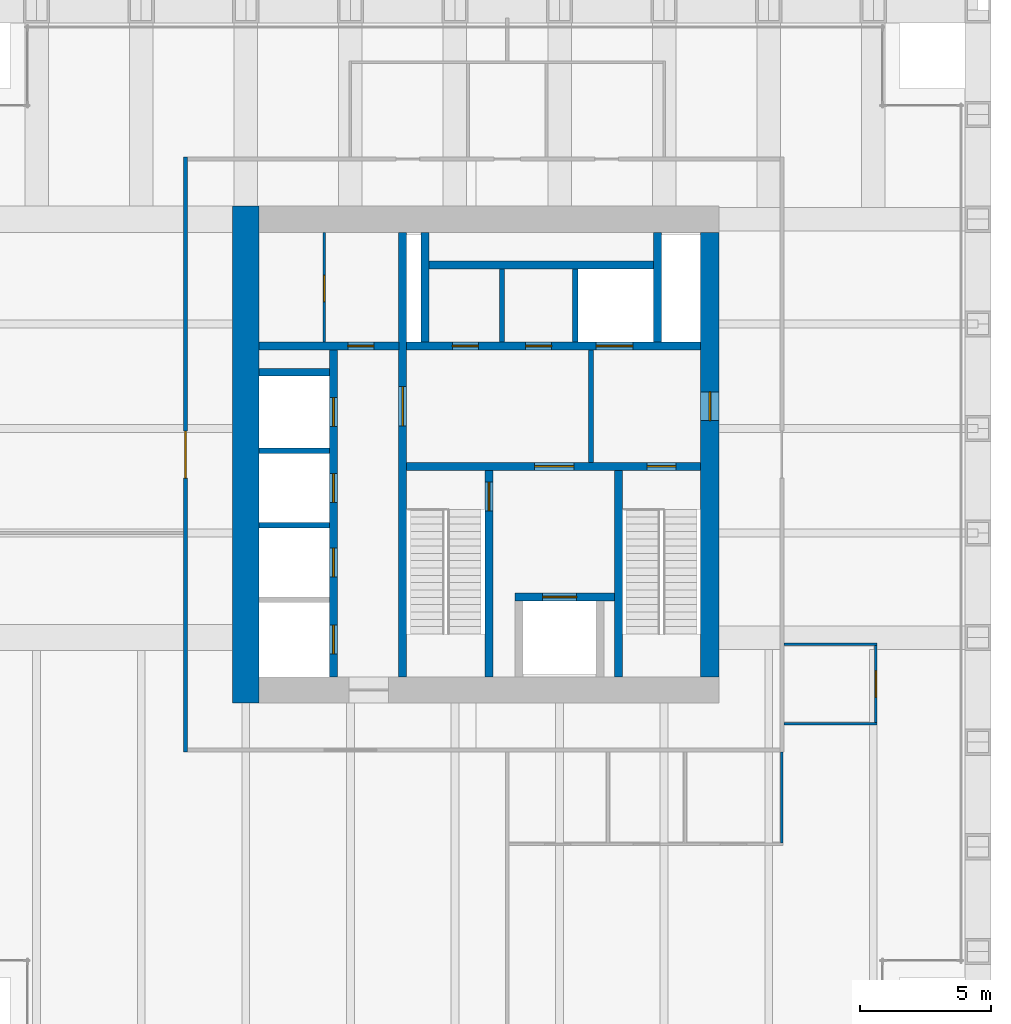
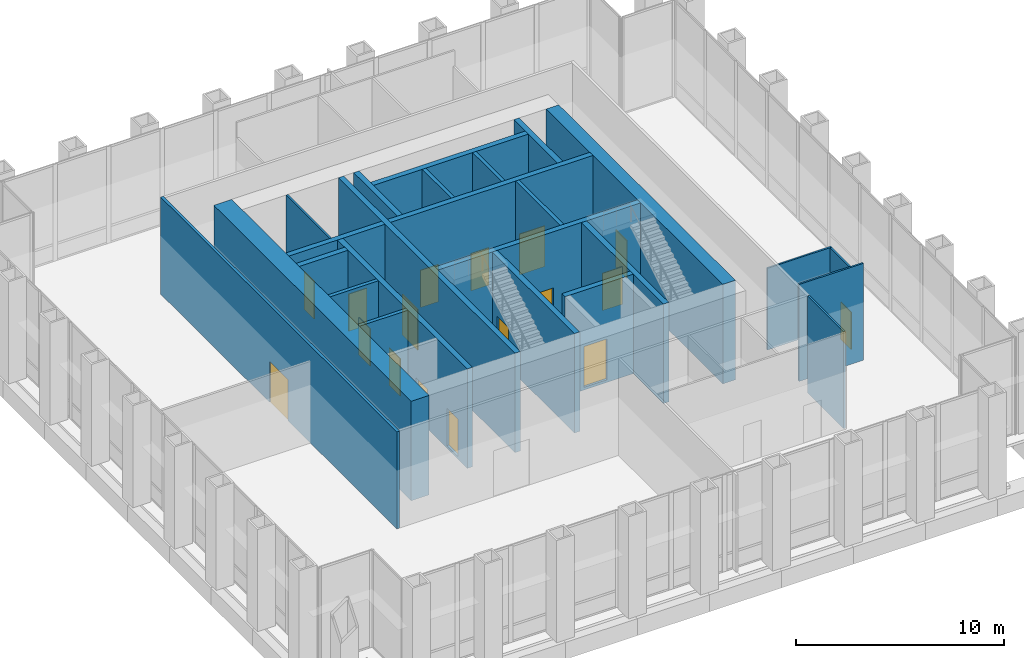
# One storey, part 10 of 12: 25 walls, 17 doors, 17 openings.
"""IFC4 building model written with IfcOpenShell, lengths in metres."""

from ifc_helpers import new_model, si_unit, direction, frame, frame_2d, origin, place, context, subcontext, project, spatial, rectangle, extrude, material, layer, layer_set, type_object, element, fill, save


model = new_model("IFC4")

# Units and contexts
model_context = context("Model", 3, precision=1e-05, world=origin(), true_north=direction((0.0, 1.0)))
body_context = subcontext(model_context, "Body", "Model", "MODEL_VIEW")
ifc_project = project(units=[si_unit("LENGTHUNIT", "METRE"), si_unit("AREAUNIT", "SQUARE_METRE"), si_unit("VOLUMEUNIT", "CUBIC_METRE"), si_unit("PLANEANGLEUNIT", "RADIAN"), si_unit("MASSUNIT", "GRAM", prefix="KILO")], contexts=[model_context])

# Site, building, storey
site_placement = place(None, origin())
site = spatial("IfcSite", under=ifc_project, at=site_placement, CompositionType="ELEMENT")
building_placement = place(site_placement, origin())
building = spatial("IfcBuilding", under=site, at=building_placement, Name="Rimbunsela Tower", CompositionType="ELEMENT")
storey_placement = place(building_placement, frame((0.0, 0.0, 298.199951171875)))
storey = spatial("IfcBuildingStorey", under=building, at=storey_placement, Name="L72", CompositionType="ELEMENT", Elevation=298.199951171875)

# Wall, opening, door
ifc_material_1 = material(Name="Concrete fc' 80 MPa", Category="concrete")
ifc_layer_1 = layer(ifc_material_1, 0.300048828125)
ifc_layer_set_1 = layer_set([ifc_layer_1], Name="Core internal wall 300")
wall_type_1 = type_object("IfcWallType", Name="Core internal wall 300", PredefinedType="SHEAR", material=ifc_layer_set_1)
wall_1_placement = place(storey_placement, frame((24.0, 18.5, -0.14990234375), z_axis=(0.0, 0.0, 1.0), x_axis=(0.0, 1.0, 0.0)))
wall_1 = element("IfcWall", 1, at=wall_1_placement, inside=storey, type_object=wall_type_1, Name="Core wall at stair A", PredefinedType="SHEAR", context=body_context, shape_type="SweptSolid", body=[
    extrude(rectangle(XDim=17.0, YDim=0.300048828125, at=frame_2d((8.5, 0.0))), origin(), (0.0, 0.0, 1.0), 5.849853515625),
])
opening_1_placement = place(wall_1_placement, frame((9.60009765625, 0.0, 0.14990234375)))
opening_1 = element("IfcOpeningElement", 2, at=opening_1_placement, cuts=wall_1, Name="Opening D03", PredefinedType="OPENING", context=body_context, shape_type="SweptSolid", body=[
    extrude(rectangle(XDim=1.5, YDim=2.39990234375, at=frame_2d((0.75, 1.199951171875))), frame((0.0, 0.159912109375, 0.0), z_axis=(0.0, -1.0, 0.0), x_axis=(1.0, 0.0, 0.0)), (0.0, 0.0, 1.0), 0.320068359375),
])
ifc_material_2 = material(Name="Steel door, fire rated", Category="steel")
door_type_1 = type_object("IfcDoorType", Name="Core lobby door 1500", OperationType="DOUBLE_DOOR_DOUBLE_SWING", PredefinedType="DOOR", material=ifc_material_2)
door_1_placement = place(opening_1_placement, origin())
door_1 = element("IfcDoor", 3, at=door_1_placement, inside=storey, type_object=door_type_1, Name="West lobby door", OperationType="DOUBLE_DOOR_DOUBLE_SWING", OverallHeight=2.39990234375, OverallWidth=1.5, PredefinedType="DOOR", context=body_context, shape_type="SweptSolid", body=[
    extrude(rectangle(XDim=1.5, YDim=2.39990234375, at=frame_2d((0.75, 1.199951171875))), frame((0.0, 0.02490234375, 0.0), z_axis=(0.0, -1.0, 0.0), x_axis=(1.0, 0.0, 0.0)), (0.0, 0.0, 1.0), 0.050048828125),
])
fill(opening_1, door_1)

# Wall, openings, doors
wall_2_placement = place(storey_placement, frame((24.14990234375, 26.550048828125, -0.14990234375), z_axis=(0.0, 0.0, 1.0), x_axis=(1.0, 0.0, 0.0)))
wall_2 = element("IfcWall", 4, at=wall_2_placement, inside=storey, type_object=wall_type_1, Name="Core wall lobby south", PredefinedType="SHEAR", context=body_context, shape_type="SweptSolid", body=[
    extrude(rectangle(XDim=11.25, YDim=0.300048828125, at=frame_2d((5.625, 0.0))), origin(), (0.0, 0.0, 1.0), 5.849853515625),
])
opening_2_placement = place(wall_2_placement, frame((9.199951171875, 0.0, 0.14990234375)))
opening_2 = element("IfcOpeningElement", 5, at=opening_2_placement, cuts=wall_2, Name="Opening D20", PredefinedType="OPENING", context=body_context, shape_type="SweptSolid", body=[
    extrude(rectangle(XDim=1.10009765625, YDim=2.199951171875, at=frame_2d((0.550048828125, 1.10009765625))), frame((0.0, 0.159912109375, 0.0), z_axis=(0.0, -1.0, 0.0), x_axis=(1.0, 0.0, 0.0)), (0.0, 0.0, 1.0), 0.320068359375),
])
opening_3_placement = place(wall_2_placement, frame((4.89990234375, 0.0, 0.14990234375)))
opening_3 = element("IfcOpeningElement", 6, at=opening_3_placement, cuts=wall_2, Name="Opening D03", PredefinedType="OPENING", context=body_context, shape_type="SweptSolid", body=[
    extrude(rectangle(XDim=1.5, YDim=2.39990234375, at=frame_2d((0.75, 1.199951171875))), frame((0.0, 0.159912109375, 0.0), z_axis=(0.0, -1.0, 0.0), x_axis=(1.0, 0.0, 0.0)), (0.0, 0.0, 1.0), 0.320068359375),
])
door_2_placement = place(opening_3_placement, origin())
door_2 = element("IfcDoor", 7, at=door_2_placement, inside=storey, type_object=door_type_1, Name="Firefighting lobby door", OperationType="DOUBLE_DOOR_DOUBLE_SWING", OverallHeight=2.39990234375, OverallWidth=1.5, PredefinedType="DOOR", context=body_context, shape_type="SweptSolid", body=[
    extrude(rectangle(XDim=1.5, YDim=2.39990234375, at=frame_2d((0.75, 1.199951171875))), frame((0.0, 0.02490234375, 0.0), z_axis=(0.0, -1.0, 0.0), x_axis=(1.0, 0.0, 0.0)), (0.0, 0.0, 1.0), 0.050048828125),
])
fill(opening_3, door_2)
ifc_material_3 = material(Name="Steel door, fire rated", Category="steel")
door_type_2 = type_object("IfcDoorType", Name="Stair door 1100", OperationType="SINGLE_SWING_RIGHT", PredefinedType="DOOR", material=ifc_material_3)
door_3_placement = place(opening_2_placement, frame((1.10009765625, 0.0, 0.0), z_axis=(0.0, 0.0, 1.0), x_axis=(-1.0, 0.0, 0.0)))
door_3 = element("IfcDoor", 8, at=door_3_placement, inside=storey, type_object=door_type_2, Name="Stair B door", OperationType="SINGLE_SWING_RIGHT", OverallHeight=2.199951171875, OverallWidth=1.10009765625, PredefinedType="DOOR", context=body_context, shape_type="SweptSolid", body=[
    extrude(rectangle(XDim=1.10009765625, YDim=2.199951171875, at=frame_2d((0.550048828125, 1.10009765625))), frame((0.0, 0.02490234375, 0.0), z_axis=(0.0, -1.0, 0.0), x_axis=(1.0, 0.0, 0.0)), (0.0, 0.0, 1.0), 0.050048828125),
])
fill(opening_2, door_3)

# Wall, opening, door
wall_3_placement = place(storey_placement, frame((27.300048828125, 18.5, -0.14990234375), z_axis=(0.0, 0.0, 1.0), x_axis=(0.0, 1.0, 0.0)))
wall_3 = element("IfcWall", 9, at=wall_3_placement, inside=storey, type_object=wall_type_1, Name="Stair A enclosure", PredefinedType="SHEAR", context=body_context, shape_type="SweptSolid", body=[
    extrude(rectangle(XDim=7.89990234375, YDim=0.300048828125, at=frame_2d((3.949951171875, 0.0))), origin(), (0.0, 0.0, 1.0), 5.849853515625),
])
opening_4_placement = place(wall_3_placement, frame((6.35009765625, 0.0, 0.14990234375)))
opening_4 = element("IfcOpeningElement", 10, at=opening_4_placement, cuts=wall_3, Name="Opening D20", PredefinedType="OPENING", context=body_context, shape_type="SweptSolid", body=[
    extrude(rectangle(XDim=1.10009765625, YDim=2.199951171875, at=frame_2d((0.550048828125, 1.10009765625))), frame((0.0, 0.159912109375, 0.0), z_axis=(0.0, -1.0, 0.0), x_axis=(1.0, 0.0, 0.0)), (0.0, 0.0, 1.0), 0.320068359375),
])
door_4_placement = place(opening_4_placement, origin())
door_4 = element("IfcDoor", 11, at=door_4_placement, inside=storey, type_object=door_type_2, Name="Stair A door", OperationType="SINGLE_SWING_RIGHT", OverallHeight=2.199951171875, OverallWidth=1.10009765625, PredefinedType="DOOR", context=body_context, shape_type="SweptSolid", body=[
    extrude(rectangle(XDim=1.10009765625, YDim=2.199951171875, at=frame_2d((0.550048828125, 1.10009765625))), frame((0.0, 0.02490234375, 0.0), z_axis=(0.0, -1.0, 0.0), x_axis=(1.0, 0.0, 0.0)), (0.0, 0.0, 1.0), 0.050048828125),
])
fill(opening_4, door_4)

# Wall
wall_4_placement = place(storey_placement, frame((32.25, 18.5, -0.14990234375), z_axis=(0.0, 0.0, 1.0), x_axis=(0.0, 1.0, 0.0)))
element("IfcWall", 12, at=wall_4_placement, inside=storey, type_object=wall_type_1, Name="Stair B enclosure", PredefinedType="SHEAR", context=body_context, shape_type="SweptSolid", body=[
    extrude(rectangle(XDim=7.89990234375, YDim=0.300048828125, at=frame_2d((3.949951171875, 0.0))), origin(), (0.0, 0.0, 1.0), 5.849853515625),
])

# Wall, opening, door
wall_5_placement = place(storey_placement, frame((28.300048828125, 21.550048828125, -0.14990234375), z_axis=(0.0, 0.0, 1.0), x_axis=(1.0, 0.0, 0.0)))
wall_5 = element("IfcWall", 13, at=wall_5_placement, inside=storey, type_object=wall_type_1, Name="Firefighting lift shaft front", PredefinedType="SHEAR", context=body_context, shape_type="SweptSolid", body=[
    extrude(rectangle(XDim=3.800048828125, YDim=0.300048828125, at=frame_2d((1.89990234375, 0.0))), origin(), (0.0, 0.0, 1.0), 5.849853515625),
])
opening_5_placement = place(wall_5_placement, frame((1.050048828125, 0.0, 0.14990234375)))
opening_5 = element("IfcOpeningElement", 14, at=opening_5_placement, cuts=wall_5, Name="Opening LD2", PredefinedType="OPENING", context=body_context, shape_type="SweptSolid", body=[
    extrude(rectangle(XDim=1.300048828125, YDim=2.39990234375, at=frame_2d((0.64990234375, 1.199951171875))), frame((0.0, 0.159912109375, 0.0), z_axis=(0.0, -1.0, 0.0), x_axis=(1.0, 0.0, 0.0)), (0.0, 0.0, 1.0), 0.320068359375),
])
ifc_material_4 = material(Name="Steel door, fire rated", Category="steel")
door_type_3 = type_object("IfcDoorType", Name="Lift landing door 1300", OperationType="DOUBLE_DOOR_SLIDING", PredefinedType="DOOR", material=ifc_material_4)
door_5_placement = place(opening_5_placement, origin())
door_5 = element("IfcDoor", 15, at=door_5_placement, inside=storey, type_object=door_type_3, Name="Lift landing door FL1", OperationType="DOUBLE_DOOR_SLIDING", OverallHeight=2.39990234375, OverallWidth=1.300048828125, PredefinedType="DOOR", context=body_context, shape_type="SweptSolid", body=[
    extrude(rectangle(XDim=1.300048828125, YDim=2.39990234375, at=frame_2d((0.64990234375, 1.199951171875))), frame((0.0, 0.02490234375, 0.0), z_axis=(0.0, -1.0, 0.0), x_axis=(1.0, 0.0, 0.0)), (0.0, 0.0, 1.0), 0.050048828125),
])
fill(opening_5, door_5)

# Wall, openings, doors
wall_6_placement = place(storey_placement, frame((24.14990234375, 31.14990234375, -0.14990234375), z_axis=(0.0, 0.0, 1.0), x_axis=(1.0, 0.0, 0.0)))
wall_6 = element("IfcWall", 16, at=wall_6_placement, inside=storey, type_object=wall_type_1, Name="Lift shaft front north", PredefinedType="SHEAR", context=body_context, shape_type="SweptSolid", body=[
    extrude(rectangle(XDim=11.25, YDim=0.300048828125, at=frame_2d((5.625, 0.0))), origin(), (0.0, 0.0, 1.0), 5.849853515625),
])
opening_6_placement = place(wall_6_placement, frame((1.75, 0.0, 0.14990234375)))
opening_6 = element("IfcOpeningElement", 17, at=opening_6_placement, cuts=wall_6, Name="Opening D19", PredefinedType="OPENING", context=body_context, shape_type="SweptSolid", body=[
    extrude(rectangle(XDim=1.0, YDim=2.199951171875, at=frame_2d((0.5, 1.10009765625))), frame((0.0, 0.159912109375, 0.0), z_axis=(0.0, -1.0, 0.0), x_axis=(1.0, 0.0, 0.0)), (0.0, 0.0, 1.0), 0.320068359375),
])
opening_7_placement = place(wall_6_placement, frame((4.550048828125, 0.0, 0.14990234375)))
opening_7 = element("IfcOpeningElement", 18, at=opening_7_placement, cuts=wall_6, Name="Opening D19", PredefinedType="OPENING", context=body_context, shape_type="SweptSolid", body=[
    extrude(rectangle(XDim=1.0, YDim=2.199951171875, at=frame_2d((0.5, 1.10009765625))), frame((0.0, 0.159912109375, 0.0), z_axis=(0.0, -1.0, 0.0), x_axis=(1.0, 0.0, 0.0)), (0.0, 0.0, 1.0), 0.320068359375),
])
opening_8_placement = place(wall_6_placement, frame((7.25, 0.0, 0.14990234375)))
opening_8 = element("IfcOpeningElement", 19, at=opening_8_placement, cuts=wall_6, Name="Opening LD3", PredefinedType="OPENING", context=body_context, shape_type="SweptSolid", body=[
    extrude(rectangle(XDim=1.39990234375, YDim=2.39990234375, at=frame_2d((0.699951171875, 1.199951171875))), frame((0.0, 0.159912109375, 0.0), z_axis=(0.0, -1.0, 0.0), x_axis=(1.0, 0.0, 0.0)), (0.0, 0.0, 1.0), 0.320068359375),
])
ifc_material_5 = material(Name="Steel door, fire rated", Category="steel")
door_type_4 = type_object("IfcDoorType", Name="Lift landing door 1400", OperationType="DOUBLE_DOOR_SLIDING", PredefinedType="DOOR", material=ifc_material_5)
door_6_placement = place(opening_8_placement, origin())
door_6 = element("IfcDoor", 20, at=door_6_placement, inside=storey, type_object=door_type_4, Name="Lift landing door FL2", OperationType="DOUBLE_DOOR_SLIDING", OverallHeight=2.39990234375, OverallWidth=1.39990234375, PredefinedType="DOOR", context=body_context, shape_type="SweptSolid", body=[
    extrude(rectangle(XDim=1.39990234375, YDim=2.39990234375, at=frame_2d((0.699951171875, 1.199951171875))), frame((0.0, 0.02490234375, 0.0), z_axis=(0.0, -1.0, 0.0), x_axis=(1.0, 0.0, 0.0)), (0.0, 0.0, 1.0), 0.050048828125),
])
fill(opening_8, door_6)
ifc_material_6 = material(Name="Steel door, fire rated", Category="steel")
door_type_5 = type_object("IfcDoorType", Name="Service door 1000 fire rated", OperationType="SINGLE_SWING_LEFT", PredefinedType="DOOR", material=ifc_material_6)
door_7_placement = place(opening_6_placement, origin())
door_7 = element("IfcDoor", 21, at=door_7_placement, inside=storey, type_object=door_type_5, Name="IT room door", OperationType="SINGLE_SWING_LEFT", OverallHeight=2.199951171875, OverallWidth=1.0, PredefinedType="DOOR", context=body_context, shape_type="SweptSolid", body=[
    extrude(rectangle(XDim=1.0, YDim=2.199951171875, at=frame_2d((0.5, 1.10009765625))), frame((0.0, 0.02490234375, 0.0), z_axis=(0.0, -1.0, 0.0), x_axis=(1.0, 0.0, 0.0)), (0.0, 0.0, 1.0), 0.050048828125),
])
fill(opening_6, door_7)
door_8_placement = place(opening_7_placement, origin())
door_8 = element("IfcDoor", 22, at=door_8_placement, inside=storey, type_object=door_type_5, Name="Tenant store door", OperationType="SINGLE_SWING_LEFT", OverallHeight=2.199951171875, OverallWidth=1.0, PredefinedType="DOOR", context=body_context, shape_type="SweptSolid", body=[
    extrude(rectangle(XDim=1.0, YDim=2.199951171875, at=frame_2d((0.5, 1.10009765625))), frame((0.0, 0.02490234375, 0.0), z_axis=(0.0, -1.0, 0.0), x_axis=(1.0, 0.0, 0.0)), (0.0, 0.0, 1.0), 0.050048828125),
])
fill(opening_7, door_8)

wall_7_placement = place(storey_placement, frame((21.35009765625, 18.5, -0.14990234375), z_axis=(0.0, 0.0, 1.0), x_axis=(0.0, 1.0, 0.0)))
wall_7 = element("IfcWall", 23, at=wall_7_placement, inside=storey, type_object=wall_type_1, Name="Lift shaft front west", PredefinedType="SHEAR", context=body_context, shape_type="SweptSolid", body=[
    extrude(rectangle(XDim=12.5, YDim=0.300048828125, at=frame_2d((6.25, 0.0))), origin(), (0.0, 0.0, 1.0), 5.849853515625),
])
opening_9_placement = place(wall_7_placement, frame((0.875, 0.0, 0.14990234375)))
opening_9 = element("IfcOpeningElement", 24, at=opening_9_placement, cuts=wall_7, Name="Opening LD1", PredefinedType="OPENING", context=body_context, shape_type="SweptSolid", body=[
    extrude(rectangle(XDim=1.10009765625, YDim=2.199951171875, at=frame_2d((0.550048828125, 1.10009765625))), frame((0.0, 0.159912109375, 0.0), z_axis=(0.0, -1.0, 0.0), x_axis=(1.0, 0.0, 0.0)), (0.0, 0.0, 1.0), 0.320068359375),
])
opening_10_placement = place(wall_7_placement, frame((3.824951171875, 0.0, 0.14990234375)))
opening_10 = element("IfcOpeningElement", 25, at=opening_10_placement, cuts=wall_7, Name="Opening LD1", PredefinedType="OPENING", context=body_context, shape_type="SweptSolid", body=[
    extrude(rectangle(XDim=1.10009765625, YDim=2.199951171875, at=frame_2d((0.550048828125, 1.10009765625))), frame((0.0, 0.159912109375, 0.0), z_axis=(0.0, -1.0, 0.0), x_axis=(1.0, 0.0, 0.0)), (0.0, 0.0, 1.0), 0.320068359375),
])
opening_11_placement = place(wall_7_placement, frame((6.675048828125, 0.0, 0.14990234375)))
opening_11 = element("IfcOpeningElement", 26, at=opening_11_placement, cuts=wall_7, Name="Opening LD1", PredefinedType="OPENING", context=body_context, shape_type="SweptSolid", body=[
    extrude(rectangle(XDim=1.10009765625, YDim=2.199951171875, at=frame_2d((0.550048828125, 1.10009765625))), frame((0.0, 0.159912109375, 0.0), z_axis=(0.0, -1.0, 0.0), x_axis=(1.0, 0.0, 0.0)), (0.0, 0.0, 1.0), 0.320068359375),
])
opening_12_placement = place(wall_7_placement, frame((9.574951171875, 0.0, 0.14990234375)))
opening_12 = element("IfcOpeningElement", 27, at=opening_12_placement, cuts=wall_7, Name="Opening LD1", PredefinedType="OPENING", context=body_context, shape_type="SweptSolid", body=[
    extrude(rectangle(XDim=1.10009765625, YDim=2.199951171875, at=frame_2d((0.550048828125, 1.10009765625))), frame((0.0, 0.159912109375, 0.0), z_axis=(0.0, -1.0, 0.0), x_axis=(1.0, 0.0, 0.0)), (0.0, 0.0, 1.0), 0.320068359375),
])
ifc_material_7 = material(Name="Steel door, fire rated", Category="steel")
door_type_6 = type_object("IfcDoorType", Name="Lift landing door 1100", OperationType="DOUBLE_DOOR_SLIDING", PredefinedType="DOOR", material=ifc_material_7)
door_9_placement = place(opening_9_placement, origin())
door_9 = element("IfcDoor", 28, at=door_9_placement, inside=storey, type_object=door_type_6, Name="Lift landing door TL1", OperationType="DOUBLE_DOOR_SLIDING", OverallHeight=2.199951171875, OverallWidth=1.10009765625, PredefinedType="DOOR", context=body_context, shape_type="SweptSolid", body=[
    extrude(rectangle(XDim=1.10009765625, YDim=2.199951171875, at=frame_2d((0.550048828125, 1.10009765625))), frame((0.0, 0.02490234375, 0.0), z_axis=(0.0, -1.0, 0.0), x_axis=(1.0, 0.0, 0.0)), (0.0, 0.0, 1.0), 0.050048828125),
])
fill(opening_9, door_9)
door_10_placement = place(opening_10_placement, origin())
door_10 = element("IfcDoor", 29, at=door_10_placement, inside=storey, type_object=door_type_6, Name="Lift landing door TL2", OperationType="DOUBLE_DOOR_SLIDING", OverallHeight=2.199951171875, OverallWidth=1.10009765625, PredefinedType="DOOR", context=body_context, shape_type="SweptSolid", body=[
    extrude(rectangle(XDim=1.10009765625, YDim=2.199951171875, at=frame_2d((0.550048828125, 1.10009765625))), frame((0.0, 0.02490234375, 0.0), z_axis=(0.0, -1.0, 0.0), x_axis=(1.0, 0.0, 0.0)), (0.0, 0.0, 1.0), 0.050048828125),
])
fill(opening_10, door_10)
door_11_placement = place(opening_11_placement, origin())
door_11 = element("IfcDoor", 30, at=door_11_placement, inside=storey, type_object=door_type_6, Name="Lift landing door TL3", OperationType="DOUBLE_DOOR_SLIDING", OverallHeight=2.199951171875, OverallWidth=1.10009765625, PredefinedType="DOOR", context=body_context, shape_type="SweptSolid", body=[
    extrude(rectangle(XDim=1.10009765625, YDim=2.199951171875, at=frame_2d((0.550048828125, 1.10009765625))), frame((0.0, 0.02490234375, 0.0), z_axis=(0.0, -1.0, 0.0), x_axis=(1.0, 0.0, 0.0)), (0.0, 0.0, 1.0), 0.050048828125),
])
fill(opening_11, door_11)
door_12_placement = place(opening_12_placement, origin())
door_12 = element("IfcDoor", 31, at=door_12_placement, inside=storey, type_object=door_type_6, Name="Lift landing door TL4", OperationType="DOUBLE_DOOR_SLIDING", OverallHeight=2.199951171875, OverallWidth=1.10009765625, PredefinedType="DOOR", context=body_context, shape_type="SweptSolid", body=[
    extrude(rectangle(XDim=1.10009765625, YDim=2.199951171875, at=frame_2d((0.550048828125, 1.10009765625))), frame((0.0, 0.02490234375, 0.0), z_axis=(0.0, -1.0, 0.0), x_axis=(1.0, 0.0, 0.0)), (0.0, 0.0, 1.0), 0.050048828125),
])
fill(opening_12, door_12)

# Wall, opening, door
wall_8_placement = place(storey_placement, frame((18.5, 31.14990234375, -0.14990234375), z_axis=(0.0, 0.0, 1.0), x_axis=(1.0, 0.0, 0.0)))
wall_8 = element("IfcWall", 32, at=wall_8_placement, inside=storey, type_object=wall_type_1, Name="Store wall", PredefinedType="SHEAR", context=body_context, shape_type="SweptSolid", body=[
    extrude(rectangle(XDim=5.35009765625, YDim=0.300048828125, at=frame_2d((2.675048828125, 0.0))), origin(), (0.0, 0.0, 1.0), 5.849853515625),
])
opening_13_placement = place(wall_8_placement, frame((3.39990234375, 0.0, 0.14990234375)))
opening_13 = element("IfcOpeningElement", 33, at=opening_13_placement, cuts=wall_8, Name="Opening D19", PredefinedType="OPENING", context=body_context, shape_type="SweptSolid", body=[
    extrude(rectangle(XDim=1.0, YDim=2.199951171875, at=frame_2d((0.5, 1.10009765625))), frame((0.0, 0.159912109375, 0.0), z_axis=(0.0, -1.0, 0.0), x_axis=(1.0, 0.0, 0.0)), (0.0, 0.0, 1.0), 0.320068359375),
])
door_13_placement = place(opening_13_placement, origin())
door_13 = element("IfcDoor", 34, at=door_13_placement, inside=storey, type_object=door_type_5, Name="Cleaners store door", OperationType="SINGLE_SWING_LEFT", OverallHeight=2.199951171875, OverallWidth=1.0, PredefinedType="DOOR", context=body_context, shape_type="SweptSolid", body=[
    extrude(rectangle(XDim=1.0, YDim=2.199951171875, at=frame_2d((0.5, 1.10009765625))), frame((0.0, 0.02490234375, 0.0), z_axis=(0.0, -1.0, 0.0), x_axis=(1.0, 0.0, 0.0)), (0.0, 0.0, 1.0), 0.050048828125),
])
fill(opening_13, door_13)

# Walls
wall_9_placement = place(storey_placement, frame((18.5, 30.14990234375, -0.14990234375), z_axis=(0.0, 0.0, 1.0), x_axis=(1.0, 0.0, 0.0)))
element("IfcWall", 35, at=wall_9_placement, inside=storey, type_object=wall_type_1, Name="Lift shaft rear west", PredefinedType="SHEAR", context=body_context, shape_type="SweptSolid", body=[
    extrude(rectangle(XDim=2.699951171875, YDim=0.300048828125, at=frame_2d((1.35009765625, 0.0))), origin(), (0.0, 0.0, 1.0), 5.849853515625),
])
for number, where, z_axis, x_axis, name in (
    (36, (24.85009765625, 31.300048828125, -0.14990234375), (0.0, 0.0, 1.0), (0.0, 1.0, 0.0), "Riser wall"),
    (37, (33.75, 31.300048828125, -0.14990234375), (0.0, 0.0, 1.0), (0.0, 1.0, 0.0), "Riser wall"),
):
    element("IfcWall", number, at=place(storey_placement, frame(where, z_axis=z_axis, x_axis=x_axis)), inside=storey, type_object=wall_type_1, Name=name, PredefinedType="SHEAR", context=body_context, shape_type="SweptSolid", body=[
        extrude(rectangle(XDim=4.199951171875, YDim=0.300048828125, at=frame_2d((2.10009765625, 0.0))), origin(), (0.0, 0.0, 1.0), 5.849853515625),
    ])
wall_10_placement = place(storey_placement, frame((25.0, 34.25, -0.14990234375), z_axis=(0.0, 0.0, 1.0), x_axis=(1.0, 0.0, 0.0)))
element("IfcWall", 38, at=wall_10_placement, inside=storey, type_object=wall_type_1, Name="Lift shaft rear north", PredefinedType="SHEAR", context=body_context, shape_type="SweptSolid", body=[
    extrude(rectangle(XDim=8.60009765625, YDim=0.300048828125, at=frame_2d((4.300048828125, 0.0))), origin(), (0.0, 0.0, 1.0), 5.849853515625),
])

# Wall, opening, door
ifc_material_8 = material(Name="Concrete blockwork", Category="masonry")
ifc_layer_2 = layer(ifc_material_8, 0.10009765625)
ifc_layer_set_2 = layer_set([ifc_layer_2], Name="Core room partition 100")
wall_type_2 = type_object("IfcWallType", Name="Core room partition 100", PredefinedType="PARTITIONING", material=ifc_layer_set_2)
wall_11_placement = place(storey_placement, frame((21.0, 31.300048828125, 0.0), z_axis=(0.0, 0.0, 1.0), x_axis=(0.0, 1.0, 0.0)))
wall_11 = element("IfcWall", 39, at=wall_11_placement, inside=storey, type_object=wall_type_2, Name="Tenant store wall", PredefinedType="PARTITIONING", context=body_context, shape_type="SweptSolid", body=[
    extrude(rectangle(XDim=4.199951171875, YDim=0.10009765625, at=frame_2d((2.10009765625, 0.0))), origin(), (0.0, 0.0, 1.0), 5.699951171875),
])
opening_14_placement = place(wall_11_placement, frame((1.550048828125, 0.0, 0.0)))
opening_14 = element("IfcOpeningElement", 40, at=opening_14_placement, cuts=wall_11, Name="Opening D19", PredefinedType="OPENING", context=body_context, shape_type="SweptSolid", body=[
    extrude(rectangle(XDim=1.0, YDim=2.199951171875, at=frame_2d((0.5, 1.10009765625))), frame((0.0, 0.06005859375, 0.0), z_axis=(0.0, -1.0, 0.0), x_axis=(1.0, 0.0, 0.0)), (0.0, 0.0, 1.0), 0.1201171875),
])
door_14_placement = place(opening_14_placement, origin())
door_14 = element("IfcDoor", 41, at=door_14_placement, inside=storey, type_object=door_type_5, Name="Tenant store door", OperationType="SINGLE_SWING_LEFT", OverallHeight=2.199951171875, OverallWidth=1.0, PredefinedType="DOOR", context=body_context, shape_type="SweptSolid", body=[
    extrude(rectangle(XDim=1.0, YDim=2.199951171875, at=frame_2d((0.5, 1.10009765625))), frame((0.0, 0.02490234375, 0.0), z_axis=(0.0, -1.0, 0.0), x_axis=(1.0, 0.0, 0.0)), (0.0, 0.0, 1.0), 0.050048828125),
])
fill(opening_14, door_14)

# Wall
ifc_material_9 = material(Name="Concrete fc' 80 MPa", Category="concrete")
ifc_layer_3 = layer(ifc_material_9, 1.0)
ifc_layer_set_3 = layer_set([ifc_layer_3], Name="Core wall 1000")
wall_type_3 = type_object("IfcWallType", Name="Core wall 1000", PredefinedType="SHEAR", material=ifc_layer_set_3)
wall_12_placement = place(storey_placement, frame((18.0, 17.5, -0.14990234375), z_axis=(0.0, 0.0, 1.0), x_axis=(0.0, 1.0, 0.0)))
element("IfcWall", 42, at=wall_12_placement, inside=storey, type_object=wall_type_3, Name="Core wall west", PredefinedType="SHEAR", context=body_context, shape_type="SweptSolid", body=[
    extrude(rectangle(XDim=19.0, YDim=1.0, at=frame_2d((9.5, 0.0))), origin(), (0.0, 0.0, 1.0), 5.849853515625),
])

# Wall, opening, door
ifc_material_10 = material(Name="Concrete fc' 80 MPa", Category="concrete")
ifc_layer_4 = layer(ifc_material_10, 0.699951171875)
ifc_layer_set_4 = layer_set([ifc_layer_4], Name="Core wall 700 east")
wall_type_4 = type_object("IfcWallType", Name="Core wall 700 east", PredefinedType="SHEAR", material=ifc_layer_set_4)
wall_13_placement = place(storey_placement, frame((35.75, 18.5, -0.14990234375), z_axis=(0.0, 0.0, 1.0), x_axis=(0.0, 1.0, 0.0)))
wall_13 = element("IfcWall", 43, at=wall_13_placement, inside=storey, type_object=wall_type_4, Name="Core wall east", PredefinedType="SHEAR", context=body_context, shape_type="SweptSolid", body=[
    extrude(rectangle(XDim=17.0, YDim=0.699951171875, at=frame_2d((8.5, 0.0))), origin(), (0.0, 0.0, 1.0), 5.849853515625),
])
opening_15_placement = place(wall_13_placement, frame((9.800048828125, 0.0, 0.14990234375)))
opening_15 = element("IfcOpeningElement", 44, at=opening_15_placement, cuts=wall_13, Name="Opening D20", PredefinedType="OPENING", context=body_context, shape_type="SweptSolid", body=[
    extrude(rectangle(XDim=1.10009765625, YDim=2.199951171875, at=frame_2d((0.550048828125, 1.10009765625))), frame((0.0, 0.35986328125, 0.0), z_axis=(0.0, -1.0, 0.0), x_axis=(1.0, 0.0, 0.0)), (0.0, 0.0, 1.0), 0.719970703125),
])
door_15_placement = place(opening_15_placement, origin())
door_15 = element("IfcDoor", 45, at=door_15_placement, inside=storey, type_object=door_type_2, Name="Firefighting lobby 2 door", OperationType="SINGLE_SWING_RIGHT", OverallHeight=2.199951171875, OverallWidth=1.10009765625, PredefinedType="DOOR", context=body_context, shape_type="SweptSolid", body=[
    extrude(rectangle(XDim=1.10009765625, YDim=2.199951171875, at=frame_2d((0.550048828125, 1.10009765625))), frame((0.0, 0.02490234375, 0.0), z_axis=(0.0, -1.0, 0.0), x_axis=(1.0, 0.0, 0.0)), (0.0, 0.0, 1.0), 0.050048828125),
])
fill(opening_15, door_15)

# Walls
ifc_material_11 = material(Name="Concrete blockwork", Category="masonry")
ifc_layer_5 = layer(ifc_material_11, 0.199951171875)
ifc_layer_set_5 = layer_set([ifc_layer_5], Name="Lift shaft wall 200")
wall_type_5 = type_object("IfcWallType", Name="Lift shaft wall 200", PredefinedType="SOLIDWALL", material=ifc_layer_set_5)
wall_14_placement = place(storey_placement, frame((27.800048828125, 31.300048828125, 0.0), z_axis=(0.0, 0.0, 1.0), x_axis=(0.0, 1.0, 0.0)))
element("IfcWall", 46, at=wall_14_placement, inside=storey, type_object=wall_type_5, Name="Lift shaft separation", PredefinedType="SOLIDWALL", context=body_context, shape_type="SweptSolid", body=[
    extrude(rectangle(XDim=2.800048828125, YDim=0.199951171875, at=frame_2d((1.39990234375, 0.0))), origin(), (0.0, 0.0, 1.0), 5.699951171875),
])
wall_15_placement = place(storey_placement, frame((30.60009765625, 31.300048828125, -0.14990234375), z_axis=(0.0, 0.0, 1.0), x_axis=(0.0, 1.0, 0.0)))
element("IfcWall", 47, at=wall_15_placement, inside=storey, type_object=wall_type_5, Name="Lift shaft separation", PredefinedType="SOLIDWALL", context=body_context, shape_type="SweptSolid", body=[
    extrude(rectangle(XDim=2.800048828125, YDim=0.199951171875, at=frame_2d((1.39990234375, 0.0))), origin(), (0.0, 0.0, 1.0), 5.849853515625),
])
for number, where, z_axis, x_axis, name in (
    (48, (18.5, 24.300048828125, -0.14990234375), (0.0, 0.0, 1.0), (1.0, 0.0, 0.0), "Lift shaft separation"),
    (49, (18.5, 27.14990234375, -0.14990234375), (0.0, 0.0, 1.0), (1.0, 0.0, 0.0), "Lift shaft separation"),
):
    element("IfcWall", number, at=place(storey_placement, frame(where, z_axis=z_axis, x_axis=x_axis)), inside=storey, type_object=wall_type_5, Name=name, PredefinedType="SOLIDWALL", context=body_context, shape_type="SweptSolid", body=[
        extrude(rectangle(XDim=2.699951171875, YDim=0.199951171875, at=frame_2d((1.35009765625, 0.0))), origin(), (0.0, 0.0, 1.0), 5.849853515625),
    ])
wall_16_placement = place(storey_placement, frame((31.199951171875, 26.699951171875, 0.0), z_axis=(0.0, 0.0, 1.0), x_axis=(0.0, 1.0, 0.0)))
element("IfcWall", 50, at=wall_16_placement, inside=storey, type_object=wall_type_5, Name="Firefighting lobby 2 wall", PredefinedType="SOLIDWALL", context=body_context, shape_type="SweptSolid", body=[
    extrude(rectangle(XDim=4.300048828125, YDim=0.199951171875, at=frame_2d((2.14990234375, 0.0))), origin(), (0.0, 0.0, 1.0), 5.699951171875),
])
ifc_material_12 = material(Name="Gypsum board on steel studs", Category="steel")
ifc_layer_6 = layer(ifc_material_12, 0.10009765625)
ifc_layer_set_6 = layer_set([ifc_layer_6], Name="Office partition 100")
wall_type_6 = type_object("IfcWallType", Name="Office partition 100", PredefinedType="PARTITIONING", material=ifc_layer_set_6)
wall_17_placement = place(storey_placement, frame((38.574951171875, 16.699951171875, 0.0), z_axis=(0.0, 0.0, 1.0), x_axis=(1.0, 0.0, 0.0)))
element("IfcWall", 51, at=wall_17_placement, inside=storey, type_object=wall_type_6, Name="Office partition", PredefinedType="PARTITIONING", context=body_context, shape_type="SweptSolid", body=[
    extrude(rectangle(XDim=3.574951171875, YDim=0.10009765625, at=frame_2d((1.78759765625, 0.0))), origin(), (0.0, 0.0, 1.0), 5.699951171875),
])
wall_18_placement = place(storey_placement, frame((38.574951171875, 19.75, 0.0), z_axis=(0.0, 0.0, 1.0), x_axis=(1.0, 0.0, 0.0)))
element("IfcWall", 52, at=wall_18_placement, inside=storey, type_object=wall_type_6, Name="Office partition", PredefinedType="PARTITIONING", context=body_context, shape_type="SweptSolid", body=[
    extrude(rectangle(XDim=3.574951171875, YDim=0.10009765625, at=frame_2d((1.78759765625, 0.0))), origin(), (0.0, 0.0, 1.0), 4.800048828125),
])
wall_19_placement = place(storey_placement, frame((38.5, 12.14990234375, 0.0), z_axis=(0.0, 0.0, 1.0), x_axis=(0.0, 1.0, 0.0)))
element("IfcWall", 53, at=wall_19_placement, inside=storey, type_object=wall_type_6, Name="Office partition", PredefinedType="PARTITIONING", context=body_context, shape_type="SweptSolid", body=[
    extrude(rectangle(XDim=3.47509765625, YDim=0.10009765625, at=frame_2d((1.737548828125, 0.0))), origin(), (0.0, 0.0, 1.0), 5.699951171875),
])

# Wall, opening, door
wall_20_placement = place(storey_placement, frame((42.10009765625, 16.75, 0.0), z_axis=(0.0, 0.0, 1.0), x_axis=(0.0, 1.0, 0.0)))
wall_20 = element("IfcWall", 54, at=wall_20_placement, inside=storey, type_object=wall_type_6, Name="Office partition", PredefinedType="PARTITIONING", context=body_context, shape_type="SweptSolid", body=[
    extrude(rectangle(XDim=2.949951171875, YDim=0.10009765625, at=frame_2d((1.47509765625, 0.0))), origin(), (0.0, 0.0, 1.0), 4.800048828125),
])
opening_16_placement = place(wall_20_placement, frame((0.97509765625, 0.0, 0.0)))
opening_16 = element("IfcOpeningElement", 55, at=opening_16_placement, cuts=wall_20, Name="Opening D16", PredefinedType="OPENING", context=body_context, shape_type="SweptSolid", body=[
    extrude(rectangle(XDim=1.0, YDim=2.199951171875, at=frame_2d((0.5, 1.10009765625))), frame((0.0, 0.06005859375, 0.0), z_axis=(0.0, -1.0, 0.0), x_axis=(1.0, 0.0, 0.0)), (0.0, 0.0, 1.0), 0.1201171875),
])
ifc_material_13 = material(Name="Timber door", Category="wood")
door_type_7 = type_object("IfcDoorType", Name="Office door 1000", OperationType="SINGLE_SWING_LEFT", PredefinedType="DOOR", material=ifc_material_13)
door_16_placement = place(opening_16_placement, origin())
door_16 = element("IfcDoor", 56, at=door_16_placement, inside=storey, type_object=door_type_7, Name="Office door", OperationType="SINGLE_SWING_LEFT", OverallHeight=2.199951171875, OverallWidth=1.0, PredefinedType="DOOR", context=body_context, shape_type="SweptSolid", body=[
    extrude(rectangle(XDim=1.0, YDim=2.199951171875, at=frame_2d((0.5, 1.10009765625))), frame((0.0, 0.02490234375, 0.0), z_axis=(0.0, -1.0, 0.0), x_axis=(1.0, 0.0, 0.0)), (0.0, 0.0, 1.0), 0.050048828125),
])
fill(opening_16, door_16)

ifc_material_14 = material(Name="Fire-rated gypsum board on steel studs, EI 60", Category="steel")
ifc_layer_7 = layer(ifc_material_14, 0.14990234375)
ifc_layer_set_7 = layer_set([ifc_layer_7], Name="Rated corridor wall 150")
wall_type_7 = type_object("IfcWallType", Name="Rated corridor wall 150", PredefinedType="PARTITIONING", material=ifc_layer_set_7)
wall_21_placement = place(storey_placement, frame((15.699951171875, 15.625, 0.0), z_axis=(0.0, 0.0, 1.0), x_axis=(0.0, 1.0, 0.0)))
wall_21 = element("IfcWall", 57, at=wall_21_placement, inside=storey, type_object=wall_type_7, Name="Corridor wall west", PredefinedType="PARTITIONING", context=body_context, shape_type="SweptSolid", body=[
    extrude(rectangle(XDim=22.75, YDim=0.14990234375, at=frame_2d((11.375, 0.0))), origin(), (0.0, 0.0, 1.0), 5.699951171875),
])
opening_17_placement = place(wall_21_placement, frame((10.47509765625, 0.0, 0.0)))
opening_17 = element("IfcOpeningElement", 58, at=opening_17_placement, cuts=wall_21, Name="Opening D02", PredefinedType="OPENING", context=body_context, shape_type="SweptSolid", body=[
    extrude(rectangle(XDim=1.800048828125, YDim=2.39990234375, at=frame_2d((0.89990234375, 1.199951171875))), frame((0.0, 0.0849609375, 0.0), z_axis=(0.0, -1.0, 0.0), x_axis=(1.0, 0.0, 0.0)), (0.0, 0.0, 1.0), 0.169921875),
])
ifc_material_15 = material(Name="Timber door", Category="wood")
door_type_8 = type_object("IfcDoorType", Name="Corridor door 1800", OperationType="DOUBLE_DOOR_DOUBLE_SWING", PredefinedType="DOOR", material=ifc_material_15)
door_17_placement = place(opening_17_placement, origin())
door_17 = element("IfcDoor", 59, at=door_17_placement, inside=storey, type_object=door_type_8, Name="Observation deck door", OperationType="DOUBLE_DOOR_DOUBLE_SWING", OverallHeight=2.39990234375, OverallWidth=1.800048828125, PredefinedType="DOOR", context=body_context, shape_type="SweptSolid", body=[
    extrude(rectangle(XDim=1.800048828125, YDim=2.39990234375, at=frame_2d((0.89990234375, 1.199951171875))), frame((0.0, 0.02490234375, 0.0), z_axis=(0.0, -1.0, 0.0), x_axis=(1.0, 0.0, 0.0)), (0.0, 0.0, 1.0), 0.050048828125),
])
fill(opening_17, door_17)

save(model, "model.ifc")
